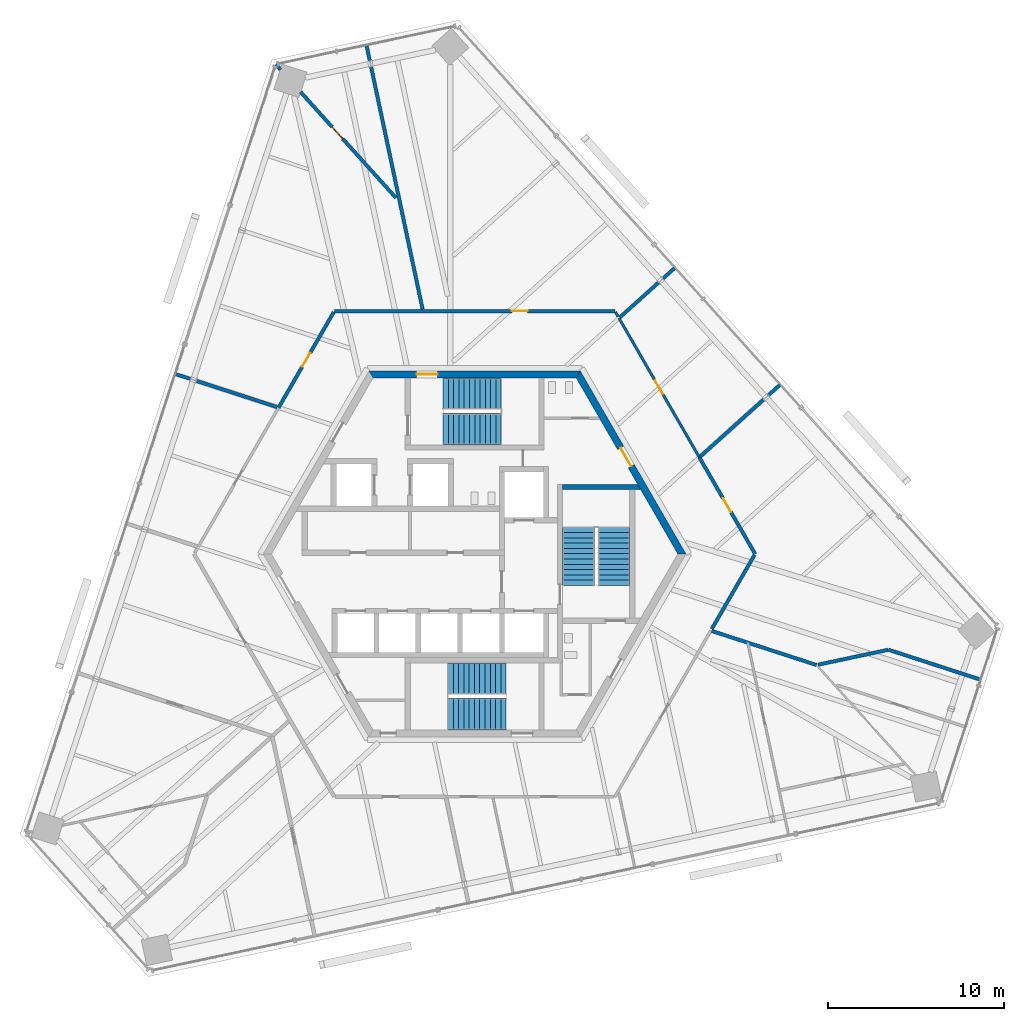
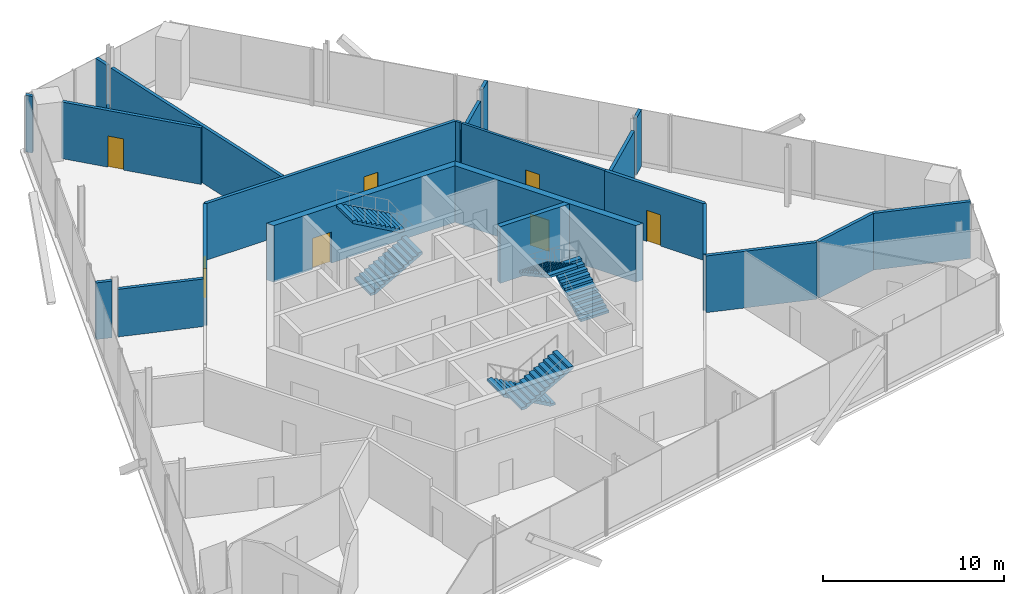
# One storey, part 12 of 14: 22 walls, 7 doors, 6 stair flights, 7 openings, 3 elements without a shape of their own.
"""IFC4 building model written with IfcOpenShell, lengths in metres."""

from ifc_helpers import new_model, si_unit, direction, frame, frame_2d, origin, place, context, subcontext, project, spatial, polyline, rectangle, outline, extrude, source, transform, mapped, material, layer, layer_set, type_object, element, fill, aggregate, save


model = new_model("IFC4")

# Units and contexts
model_context = context("Model", 3, precision=1e-05, world=origin(), true_north=direction((0.0, 1.0)))
body_context = subcontext(model_context, "Body", "Model", "MODEL_VIEW")
ifc_project = project(units=[si_unit("LENGTHUNIT", "METRE"), si_unit("AREAUNIT", "SQUARE_METRE"), si_unit("VOLUMEUNIT", "CUBIC_METRE"), si_unit("PLANEANGLEUNIT", "RADIAN"), si_unit("MASSUNIT", "GRAM", prefix="KILO")], contexts=[model_context])

# Site, building, storey
site_placement = place(None, origin())
site = spatial("IfcSite", under=ifc_project, at=site_placement, CompositionType="ELEMENT")
building_placement = place(site_placement, origin())
building = spatial("IfcBuilding", under=site, at=building_placement, Name="Triune Harvest Tower", CompositionType="ELEMENT")
storey_placement = place(building_placement, frame((0.0, 0.0, 284.699951171875)))
storey = spatial("IfcBuildingStorey", under=building, at=storey_placement, Name="L75", CompositionType="ELEMENT", Elevation=284.699951171875)

# Wall, opening, door
ifc_material_1 = material(Name="Gypsum board on steel studs", Category="steel")
ifc_layer_1 = layer(ifc_material_1, 0.14990234375)
ifc_layer_set_1 = layer_set([ifc_layer_1], Name="Gypsum board on steel studs")
wall_type_1 = type_object("IfcWallType", Name="Fire Partition 150 mm", PredefinedType="PARTITIONING", material=ifc_layer_set_1)
wall_1_placement = place(storey_placement, frame((8.198486328125, 13.384521484375, 0.0), z_axis=(0.0, 0.0, 1.0), x_axis=(0.499996628238, -0.866027350463, 0.0)))
wall_1 = element("IfcWall", 1, at=wall_1_placement, inside=storey, type_object=wall_type_1, Name="Partition L75 012", PredefinedType="PARTITIONING", context=body_context, shape_type="SweptSolid", body=[
    extrude(rectangle(XDim=9.12109375, YDim=0.14990234375, at=frame_2d((4.560546875, 0.0))), origin(), (0.0, 0.0, 1.0), 3.820068359375),
])
opening_1_placement = place(wall_1_placement, frame((4.07421875, 0.0, 0.0)))
opening_1 = element("IfcOpeningElement", 2, at=opening_1_placement, cuts=wall_1, Name="Opening L75-002", PredefinedType="OPENING", context=body_context, shape_type="SweptSolid", body=[
    extrude(rectangle(XDim=0.89990234375, YDim=2.10009765625, at=frame_2d((0.449951171875, 1.050048828125))), frame((0.0, 0.0849609375, 0.0), z_axis=(0.0, -1.0, 0.0), x_axis=(1.0, 0.0, 0.0)), (0.0, 0.0, 1.0), 0.169921875),
])
ifc_material_2 = material(Name="Timber and steel door set", Category="steel")
door_type_1 = type_object("IfcDoorType", Name="Single leaf door FD30 left hand 900 x 2100", OperationType="SINGLE_SWING_LEFT", PredefinedType="DOOR", material=ifc_material_2)
door_1_placement = place(opening_1_placement, origin())
door_1 = element("IfcDoor", 3, at=door_1_placement, inside=storey, type_object=door_type_1, Name="Door L75-002 Dry Store Room 75.02", OperationType="SINGLE_SWING_LEFT", OverallHeight=2.10009765625, OverallWidth=0.89990234375, PredefinedType="DOOR", context=body_context, shape_type="SweptSolid", body=[
    extrude(rectangle(XDim=0.89990234375, YDim=2.10009765625, at=frame_2d((0.449951171875, 1.050048828125))), frame((0.0, 0.02490234375, 0.0), z_axis=(0.0, -1.0, 0.0), x_axis=(1.0, 0.0, 0.0)), (0.0, 0.0, 1.0), 0.050048828125),
])
fill(opening_1, door_1)

# Wall
ifc_material_3 = material(Name="Gypsum board on steel studs", Category="steel")
ifc_layer_2 = layer(ifc_material_3, 0.199951171875)
ifc_layer_set_2 = layer_set([ifc_layer_2], Name="Gypsum board on steel studs")
wall_type_2 = type_object("IfcWallType", Name="Fire Wall 200 mm", PredefinedType="PARTITIONING", material=ifc_layer_set_2)
wall_2_placement = place(storey_placement, frame((-5.8798828125, 27.66357421875, 0.0), z_axis=(0.0, 0.0, 1.0), x_axis=(0.207901887177, -0.978149684511, 0.0)))
element("IfcWall", 4, at=wall_2_placement, inside=storey, type_object=wall_type_2, Name="Partition L75 007", PredefinedType="PARTITIONING", context=body_context, shape_type="SweptSolid", body=[
    extrude(rectangle(XDim=14.0810546875, YDim=0.199951171875, at=frame_2d((7.04052734375, 0.0))), origin(), (0.0, 0.0, 1.0), 3.820068359375),
])

# Wall, opening, door
wall_3_placement = place(storey_placement, frame((12.759033203125, 5.4853515625, 0.0), z_axis=(0.0, 0.0, 1.0), x_axis=(0.500002721793, -0.866023832351, 0.0)))
wall_3 = element("IfcWall", 5, at=wall_3_placement, inside=storey, type_object=wall_type_2, Name="Partition L75 013", PredefinedType="PARTITIONING", context=body_context, shape_type="SweptSolid", body=[
    extrude(rectangle(XDim=6.333984375, YDim=0.199951171875, at=frame_2d((3.1669921875, 0.0))), origin(), (0.0, 0.0, 1.0), 3.820068359375),
])
opening_2_placement = place(wall_3_placement, frame((2.683837890625, 0.0, 0.0)))
opening_2 = element("IfcOpeningElement", 6, at=opening_2_placement, cuts=wall_3, Name="Opening L75-001", PredefinedType="OPENING", context=body_context, shape_type="SweptSolid", body=[
    extrude(rectangle(XDim=0.89990234375, YDim=2.10009765625, at=frame_2d((0.449951171875, 1.050048828125))), frame((0.0, 0.10986328125, 0.0), z_axis=(0.0, -1.0, 0.0), x_axis=(1.0, 0.0, 0.0)), (0.0, 0.0, 1.0), 0.219970703125),
])
ifc_material_4 = material(Name="Timber and steel door set", Category="steel")
door_type_2 = type_object("IfcDoorType", Name="Single leaf door FD60 left hand 900 x 2100", OperationType="SINGLE_SWING_LEFT", PredefinedType="DOOR", material=ifc_material_4)
door_2_placement = place(opening_2_placement, origin())
door_2 = element("IfcDoor", 7, at=door_2_placement, inside=storey, type_object=door_type_2, Name="Door L75-001 Commercial Kitchen 75.01", OperationType="SINGLE_SWING_LEFT", OverallHeight=2.10009765625, OverallWidth=0.89990234375, PredefinedType="DOOR", context=body_context, shape_type="SweptSolid", body=[
    extrude(rectangle(XDim=0.89990234375, YDim=2.10009765625, at=frame_2d((0.449951171875, 1.050048828125))), frame((0.0, 0.02490234375, 0.0), z_axis=(0.0, -1.0, 0.0), x_axis=(1.0, 0.0, 0.0)), (0.0, 0.0, 1.0), 0.050048828125),
])
fill(opening_2, door_2)

wall_4_placement = place(storey_placement, frame((-9.88232421875, 26.230712890625, 0.0), z_axis=(0.0, 0.0, 1.0), x_axis=(0.669134662493, -0.743141173298, 0.0)))
wall_4 = element("IfcWall", 8, at=wall_4_placement, inside=storey, type_object=wall_type_2, Name="Partition L75 016", PredefinedType="PARTITIONING", context=body_context, shape_type="SweptSolid", body=[
    extrude(rectangle(XDim=8.095458984375, YDim=0.199951171875, at=frame_2d((4.0478515625, 0.0))), origin(), (0.0, 0.0, 1.0), 3.820068359375),
])
opening_3_placement = place(wall_4_placement, frame((2.675537109375, 0.0, 0.0)))
opening_3 = element("IfcOpeningElement", 9, at=opening_3_placement, cuts=wall_4, Name="Opening L75-004", PredefinedType="OPENING", context=body_context, shape_type="SweptSolid", body=[
    extrude(rectangle(XDim=0.89990234375, YDim=2.10009765625, at=frame_2d((0.449951171875, 1.050048828125))), frame((0.0, 0.10986328125, 0.0), z_axis=(0.0, -1.0, 0.0), x_axis=(1.0, 0.0, 0.0)), (0.0, 0.0, 1.0), 0.219970703125),
])
door_3_placement = place(opening_3_placement, origin())
door_3 = element("IfcDoor", 10, at=door_3_placement, inside=storey, type_object=door_type_2, Name="Door L75-004 Electrical Room 75.04", OperationType="SINGLE_SWING_LEFT", OverallHeight=2.10009765625, OverallWidth=0.89990234375, PredefinedType="DOOR", context=body_context, shape_type="SweptSolid", body=[
    extrude(rectangle(XDim=0.89990234375, YDim=2.10009765625, at=frame_2d((0.449951171875, 1.050048828125))), frame((0.0, 0.02490234375, 0.0), z_axis=(0.0, -1.0, 0.0), x_axis=(1.0, 0.0, 0.0)), (0.0, 0.0, 1.0), 0.050048828125),
])
fill(opening_3, door_3)

# Wall
wall_5_placement = place(storey_placement, frame((13.4580078125, -4.372802734375, 0.0), z_axis=(0.0, 0.0, 1.0), x_axis=(0.951052712201, -0.309028701929, 0.0)))
element("IfcWall", 11, at=wall_5_placement, inside=storey, type_object=wall_type_2, Name="Partition L75 024", PredefinedType="PARTITIONING", context=body_context, shape_type="SweptSolid", body=[
    extrude(rectangle(XDim=6.254638671875, YDim=0.199951171875, at=frame_2d((3.12744140625, 0.0))), origin(), (0.0, 0.0, 1.0), 3.820068359375),
])

# Wall, opening, door
wall_6_placement = place(storey_placement, frame((-7.962890625, 13.792236328125, 0.0), z_axis=(0.0, 0.0, 1.0), x_axis=(1.0, 0.0, 0.0)))
wall_6 = element("IfcWall", 12, at=wall_6_placement, inside=storey, type_object=wall_type_2, Name="Partition L75 030", PredefinedType="PARTITIONING", context=body_context, shape_type="SweptSolid", body=[
    extrude(rectangle(XDim=15.92578125, YDim=0.199951171875, at=frame_2d((7.962890625, 0.0))), origin(), (0.0, 0.0, 1.0), 3.820068359375),
])
opening_4_placement = place(wall_6_placement, frame((10.075927734375, 0.0, 0.0)))
opening_4 = element("IfcOpeningElement", 13, at=opening_4_placement, cuts=wall_6, Name="Opening L75-003", PredefinedType="OPENING", context=body_context, shape_type="SweptSolid", body=[
    extrude(rectangle(XDim=0.89990234375, YDim=2.10009765625, at=frame_2d((0.449951171875, 1.050048828125))), frame((0.0, 0.10986328125, 0.0), z_axis=(0.0, -1.0, 0.0), x_axis=(1.0, 0.0, 0.0)), (0.0, 0.0, 1.0), 0.219970703125),
])
ifc_material_5 = material(Name="Timber and steel door set", Category="steel")
door_type_3 = type_object("IfcDoorType", Name="Single leaf door FD60 right hand 900 x 2100", OperationType="SINGLE_SWING_RIGHT", PredefinedType="DOOR", material=ifc_material_5)
door_4_placement = place(opening_4_placement, origin())
door_4 = element("IfcDoor", 14, at=door_4_placement, inside=storey, type_object=door_type_3, Name="Door L75-003 Commercial Kitchen 75.03", OperationType="SINGLE_SWING_RIGHT", OverallHeight=2.10009765625, OverallWidth=0.89990234375, PredefinedType="DOOR", context=body_context, shape_type="SweptSolid", body=[
    extrude(rectangle(XDim=0.89990234375, YDim=2.10009765625, at=frame_2d((0.449951171875, 1.050048828125))), frame((0.0, 0.02490234375, 0.0), z_axis=(0.0, -1.0, 0.0), x_axis=(1.0, 0.0, 0.0)), (0.0, 0.0, 1.0), 0.050048828125),
])
fill(opening_4, door_4)

# Walls
wall_7_placement = place(storey_placement, frame((12.820068359375, 5.5361328125, 0.0), z_axis=(0.0, 0.0, 1.0), x_axis=(0.743143712679, 0.669131842244, 0.0)))
element("IfcWall", 15, at=wall_7_placement, inside=storey, type_object=wall_type_2, Name="Partition L75 035", PredefinedType="PARTITIONING", context=body_context, shape_type="SweptSolid", body=[
    extrude(rectangle(XDim=4.842529296875, YDim=0.199951171875, at=frame_2d((2.42138671875, 0.0))), origin(), (0.0, 0.0, 1.0), 3.207763671875),
])
wall_8_placement = place(storey_placement, frame((13.4638671875, -4.264892578125, 0.0), z_axis=(0.0, 0.0, 1.0), x_axis=(0.500022847687, 0.866012212264, 0.0)))
element("IfcWall", 16, at=wall_8_placement, inside=storey, type_object=wall_type_2, Name="Partition L75 042", PredefinedType="PARTITIONING", context=body_context, shape_type="SweptSolid", body=[
    extrude(rectangle(XDim=4.854248046875, YDim=0.199951171875, at=frame_2d((2.42724609375, 0.0))), origin(), (0.0, 0.0, 1.0), 3.820068359375),
])

# Wall, opening, door
wall_9_placement = place(storey_placement, frame((-11.1298828125, 8.306884765625, 0.0), z_axis=(0.0, 0.0, 1.0), x_axis=(0.500008097543, 0.866020728615, 0.0)))
wall_9 = element("IfcWall", 17, at=wall_9_placement, inside=storey, type_object=wall_type_2, Name="Partition L75 045", PredefinedType="PARTITIONING", context=body_context, shape_type="SweptSolid", body=[
    extrude(rectangle(XDim=6.26416015625, YDim=0.199951171875, at=frame_2d((3.132080078125, 0.0))), origin(), (0.0, 0.0, 1.0), 3.820068359375),
])
opening_5_placement = place(wall_9_placement, frame((2.683837890625, 0.0, 0.0)))
opening_5 = element("IfcOpeningElement", 18, at=opening_5_placement, cuts=wall_9, Name="Opening L75-005", PredefinedType="OPENING", context=body_context, shape_type="SweptSolid", body=[
    extrude(rectangle(XDim=0.89990234375, YDim=2.10009765625, at=frame_2d((0.449951171875, 1.050048828125))), frame((0.0, 0.10986328125, 0.0), z_axis=(0.0, -1.0, 0.0), x_axis=(1.0, 0.0, 0.0)), (0.0, 0.0, 1.0), 0.219970703125),
])
door_5_placement = place(opening_5_placement, origin())
door_5 = element("IfcDoor", 19, at=door_5_placement, inside=storey, type_object=door_type_2, Name="Door L75-005 Commercial Kitchen 75.05", OperationType="SINGLE_SWING_LEFT", OverallHeight=2.10009765625, OverallWidth=0.89990234375, PredefinedType="DOOR", context=body_context, shape_type="SweptSolid", body=[
    extrude(rectangle(XDim=0.89990234375, YDim=2.10009765625, at=frame_2d((0.449951171875, 1.050048828125))), frame((0.0, 0.02490234375, 0.0), z_axis=(0.0, -1.0, 0.0), x_axis=(1.0, 0.0, 0.0)), (0.0, 0.0, 1.0), 0.050048828125),
])
fill(opening_5, door_5)

ifc_material_6 = material(Name="Concrete 70 MPa", Category="concrete")
ifc_layer_3 = layer(ifc_material_6, 0.39990234375)
ifc_layer_set_3 = layer_set([ifc_layer_3], Name="Concrete 70 MPa")
wall_type_3 = type_object("IfcWallType", Name="Core wall 400", PredefinedType="SHEAR", material=ifc_layer_set_3)
shared_shape_1 = source(origin(), body_context, "Body", "SweptSolid", [
    extrude(outline(polyline([(-0.115478515625, -0.199951171875), (11.884521484375, -0.199951171875), (11.653564453125, 0.199951171875), (0.115478515625, 0.199951171875), (-0.115478515625, -0.199951171875)])), origin(), (0.0, 0.0, 1.0), 3.820068359375),
])
wall_10_placement = place(storey_placement, frame((11.76904296875, 0.0, 0.0), z_axis=(0.0, 0.0, 1.0), x_axis=(-0.499996592174, 0.866027371285, 0.0)))
wall_10 = element("IfcWall", 20, at=wall_10_placement, inside=storey, type_object=wall_type_3, Name="Hexagon 0 wall", PredefinedType="SHEAR", context=body_context, shape_type="MappedRepresentation", body=[
    mapped(shared_shape_1, transform((0.0, 0.0, 0.0), scale=1.0)),
])
opening_6_placement = place(wall_10_placement, frame((5.75048828125, 0.0, 0.0)))
opening_6 = element("IfcOpeningElement", 21, at=opening_6_placement, cuts=wall_10, Name="Opening CD-WCP", PredefinedType="OPENING", context=body_context, shape_type="SweptSolid", body=[
    extrude(rectangle(XDim=1.199951171875, YDim=2.10009765625, at=frame_2d((0.60009765625, 1.050048828125))), frame((0.0, 0.2099609375, 0.0), z_axis=(0.0, -1.0, 0.0), x_axis=(1.0, 0.0, 0.0)), (0.0, 0.0, 1.0), 0.419921875),
])
ifc_material_7 = material(Name="Steel S235", Category="steel")
door_type_4 = type_object("IfcDoorType", Name="Lobby door 1200 FD120", OperationType="SINGLE_SWING_LEFT", PredefinedType="DOOR", material=ifc_material_7)
door_6_placement = place(opening_6_placement, frame((1.199951171875, 0.0, 0.0), z_axis=(0.0, 0.0, 1.0), x_axis=(-1.0, 0.0, 0.0)))
door_6 = element("IfcDoor", 22, at=door_6_placement, inside=storey, type_object=door_type_4, Name="Door CD-WCP", OperationType="SINGLE_SWING_RIGHT", OverallHeight=2.10009765625, OverallWidth=1.199951171875, PredefinedType="DOOR", context=body_context, shape_type="SweptSolid", body=[
    extrude(rectangle(XDim=1.199951171875, YDim=2.10009765625, at=frame_2d((0.60009765625, 1.050048828125))), frame((0.0, 0.02490234375, 0.0), z_axis=(0.0, -1.0, 0.0), x_axis=(1.0, 0.0, 0.0)), (0.0, 0.0, 1.0), 0.050048828125),
])
fill(opening_6, door_6)

wall_11_placement = place(storey_placement, frame((5.884521484375, 10.1923828125, 0.0), z_axis=(0.0, 0.0, 1.0), x_axis=(-1.0, 0.0, 0.0)))
wall_11 = element("IfcWall", 23, at=wall_11_placement, inside=storey, type_object=wall_type_3, Name="Hexagon 1 wall", PredefinedType="SHEAR", context=body_context, shape_type="MappedRepresentation", body=[
    mapped(shared_shape_1, transform((0.0, 0.0, 0.0), scale=1.0)),
])
opening_7_placement = place(wall_11_placement, frame((7.984619140625, 0.0, 0.0)))
opening_7 = element("IfcOpeningElement", 24, at=opening_7_placement, cuts=wall_11, Name="Opening CD-S1P", PredefinedType="OPENING", context=body_context, shape_type="SweptSolid", body=[
    extrude(rectangle(XDim=1.199951171875, YDim=2.10009765625, at=frame_2d((0.60009765625, 1.050048828125))), frame((0.0, 0.2099609375, 0.0), z_axis=(0.0, -1.0, 0.0), x_axis=(1.0, 0.0, 0.0)), (0.0, 0.0, 1.0), 0.419921875),
])
ifc_material_8 = material(Name="Steel S235", Category="steel")
door_type_5 = type_object("IfcDoorType", Name="Stair door 1200 FD120", OperationType="SINGLE_SWING_LEFT", PredefinedType="DOOR", material=ifc_material_8)
door_7_placement = place(opening_7_placement, frame((1.199951171875, 0.0, 0.0), z_axis=(0.0, 0.0, 1.0), x_axis=(-1.0, 0.0, 0.0)))
door_7 = element("IfcDoor", 25, at=door_7_placement, inside=storey, type_object=door_type_5, Name="Door CD-S1P", OperationType="SINGLE_SWING_RIGHT", OverallHeight=2.10009765625, OverallWidth=1.199951171875, PredefinedType="DOOR", context=body_context, shape_type="SweptSolid", body=[
    extrude(rectangle(XDim=1.199951171875, YDim=2.10009765625, at=frame_2d((0.60009765625, 1.050048828125))), frame((0.0, 0.02490234375, 0.0), z_axis=(0.0, -1.0, 0.0), x_axis=(1.0, 0.0, 0.0)), (0.0, 0.0, 1.0), 0.050048828125),
])
fill(opening_7, door_7)

# Walls
ifc_material_9 = material(Name="Concrete 70 MPa", Category="concrete")
ifc_layer_4 = layer(ifc_material_9, 0.300048828125)
ifc_layer_set_4 = layer_set([ifc_layer_4], Name="Concrete 70 MPa")
wall_type_4 = type_object("IfcWallType", Name="Core wall 300", PredefinedType="SHEAR", material=ifc_layer_set_4)
shared_shape_2 = source(origin(), body_context, "Body", "SweptSolid", [
    extrude(outline(polyline([(0.0, -0.14990234375), (0.0, 0.14990234375), (4.260009765625, 0.14990234375), (4.43310546875, -0.14990234375), (0.0, -0.14990234375)])), origin(), (0.0, 0.0, 1.0), 3.820068359375),
])
wall_12_placement = place(storey_placement, frame((5.0, 3.800048828125, 0.0), z_axis=(0.0, 0.0, 1.0), x_axis=(1.0, 0.0, 0.0)))
element("IfcWall", 26, at=wall_12_placement, inside=storey, type_object=wall_type_4, Name="Stair e north wall", PredefinedType="SHEAR", context=body_context, shape_type="MappedRepresentation", body=[
    mapped(shared_shape_2, transform((0.0, 0.0, 0.0), scale=1.0)),
])
shared_shape_3 = source(origin(), body_context, "Body", "SweptSolid", [
    extrude(rectangle(XDim=0.915283203125, YDim=0.199951171875, at=frame_2d((0.45751953125, 0.0))), origin(), (0.0, 0.0, 1.0), 3.820068359375),
])
for number, where, z_axis, x_axis, name in (
    (27, (-17.00439453125, 10.21875, 0.0), (0.0, 0.0, 1.0), (0.951108522522, -0.308856889815, 0.0), "Partition L75 026"),
    (28, (16.671875, 9.00439453125, 0.0), (0.0, 0.0, 1.0), (0.743214552861, 0.669053158139, 0.0), "Partition L75 036"),
    (29, (10.69775390625, 15.63916015625, 0.0), (0.0, 0.0, 1.0), (0.743081911728, 0.669200472551, 0.0), "Partition L75 040"),
):
    element("IfcWall", number, at=place(storey_placement, frame(where, z_axis=z_axis, x_axis=x_axis)), inside=storey, type_object=wall_type_2, Name=name, PredefinedType="PARTITIONING", context=body_context, shape_type="MappedRepresentation", body=[
        mapped(shared_shape_3, transform((0.0, 0.0, 0.0), scale=1.0)),
    ])
shared_shape_4 = source(origin(), body_context, "Body", "SweptSolid", [
    extrude(rectangle(XDim=4.84228515625, YDim=0.199951171875, at=frame_2d((2.421142578125, 0.0))), origin(), (0.0, 0.0, 1.0), 3.207763671875),
])
wall_13_placement = place(storey_placement, frame((-15.809814453125, 9.830810546875, 0.0), z_axis=(0.0, 0.0, 1.0), x_axis=(0.951041108241, -0.309064411468, 0.0)))
element("IfcWall", 30, at=wall_13_placement, inside=storey, type_object=wall_type_2, Name="Partition L75 027", PredefinedType="PARTITIONING", context=body_context, shape_type="MappedRepresentation", body=[
    mapped(shared_shape_4, transform((0.0, 0.0, 0.0), scale=1.0)),
])
shared_shape_5 = source(origin(), body_context, "Body", "SweptSolid", [
    extrude(rectangle(XDim=0.91552734375, YDim=0.199951171875, at=frame_2d((0.457763671875, 0.0))), origin(), (0.0, 0.0, 1.0), 3.820068359375),
])
wall_14_placement = place(storey_placement, frame((-6.14111328125, 28.89208984375, 0.0), z_axis=(0.0, 0.0, 1.0), x_axis=(0.207743933161, -0.978183243689, 0.0)))
element("IfcWall", 31, at=wall_14_placement, inside=storey, type_object=wall_type_2, Name="Partition L75 006", PredefinedType="PARTITIONING", context=body_context, shape_type="MappedRepresentation", body=[
    mapped(shared_shape_5, transform((0.0, 0.0, 0.0), scale=1.0)),
])
shared_shape_6 = source(origin(), body_context, "Body", "SweptSolid", [
    extrude(rectangle(XDim=0.30078125, YDim=0.14990234375, at=frame_2d((0.150390625, 0.0))), origin(), (0.0, 0.0, 1.0), 3.820068359375),
])
wall_15_placement = place(storey_placement, frame((7.998046875, 13.7314453125, 0.0), z_axis=(0.0, 0.0, 1.0), x_axis=(0.499980071345, -0.866036909293, 0.0)))
element("IfcWall", 32, at=wall_15_placement, inside=storey, type_object=wall_type_1, Name="Partition L75 011", PredefinedType="PARTITIONING", context=body_context, shape_type="MappedRepresentation", body=[
    mapped(shared_shape_6, transform((0.0, 0.0, 0.0), scale=1.0)),
])
shared_shape_7 = source(origin(), body_context, "Body", "SweptSolid", [
    extrude(rectangle(XDim=0.39892578125, YDim=0.199951171875, at=frame_2d((0.199462890625, 0.0))), origin(), (0.0, 0.0, 1.0), 3.820068359375),
])
wall_16_placement = place(storey_placement, frame((-11.292724609375, 27.797119140625, 0.0), z_axis=(0.0, 0.0, 1.0), x_axis=(0.66879568396, -0.743446254356, 0.0)))
element("IfcWall", 33, at=wall_16_placement, inside=storey, type_object=wall_type_2, Name="Partition L75 015", PredefinedType="PARTITIONING", context=body_context, shape_type="MappedRepresentation", body=[
    mapped(shared_shape_7, transform((0.0, 0.0, 0.0), scale=1.0)),
])
shared_shape_8 = source(origin(), body_context, "Body", "SweptSolid", [
    extrude(rectangle(XDim=2.974609375, YDim=0.199951171875, at=frame_2d((1.4873046875, 0.0))), origin(), (0.0, 0.0, 1.0), 3.283935546875),
])
wall_17_placement = place(storey_placement, frame((8.23388671875, 13.4208984375, 0.0), z_axis=(0.0, 0.0, 1.0), x_axis=(0.743192110259, 0.669078087557, 0.0)))
element("IfcWall", 34, at=wall_17_placement, inside=storey, type_object=wall_type_2, Name="Partition L75 039", PredefinedType="PARTITIONING", context=body_context, shape_type="MappedRepresentation", body=[
    mapped(shared_shape_8, transform((0.0, 0.0, 0.0), scale=1.0)),
])
shared_shape_9 = source(origin(), body_context, "Body", "SweptSolid", [
    extrude(rectangle(XDim=5.505859375, YDim=0.199951171875, at=frame_2d((2.7529296875, 0.0))), origin(), (0.0, 0.0, 1.0), 3.820068359375),
])
wall_18_placement = place(storey_placement, frame((23.500732421875, -5.4404296875, 0.0), z_axis=(0.0, 0.0, 1.0), x_axis=(0.951054921763, -0.309021901798, 0.0)))
element("IfcWall", 35, at=wall_18_placement, inside=storey, type_object=wall_type_2, Name="Partition L75 025", PredefinedType="PARTITIONING", context=body_context, shape_type="MappedRepresentation", body=[
    mapped(shared_shape_9, transform((0.0, 0.0, 0.0), scale=1.0)),
])
shared_shape_10 = source(origin(), body_context, "Body", "SweptSolid", [
    extrude(rectangle(XDim=4.055908203125, YDim=0.199951171875, at=frame_2d((2.02783203125, 0.0))), origin(), (0.0, 0.0, 1.0), 3.820068359375),
])
wall_19_placement = place(storey_placement, frame((19.504150390625, -6.289794921875, 0.0), z_axis=(0.0, 0.0, 1.0), x_axis=(0.978135898015, 0.207966740163, 0.0)))
element("IfcWall", 36, at=wall_19_placement, inside=storey, type_object=wall_type_2, Name="Partition L75 034", PredefinedType="PARTITIONING", context=body_context, shape_type="MappedRepresentation", body=[
    mapped(shared_shape_10, transform((0.0, 0.0, 0.0), scale=1.0)),
])

# Stair, stair flights
ifc_material_10 = material(Name="Concrete 40 MPa", Category="concrete")
stair_type = type_object("IfcStairType", Name="Exit stair 1800 half turn", PredefinedType="HALF_TURN_STAIR", material=ifc_material_10)
stair_1_placement = place(storey_placement, origin())
stair_1 = element("IfcStair", 37, at=stair_1_placement, inside=storey, type_object=stair_type, Name="Exit stair north", PredefinedType="HALF_TURN_STAIR")
ifc_material_11 = material(Name="Concrete 40 MPa", Category="concrete")
stair_flight_type = type_object("IfcStairFlightType", Name="Stair flight 1800", PredefinedType="STRAIGHT", material=ifc_material_11)
shared_shape_11 = source(origin(), body_context, "Body", "SweptSolid", [
    extrude(outline(polyline([(0.0, 0.0), (0.0, 0.166748046875), (0.300048828125, 0.166748046875), (0.300048828125, 0.333251953125), (0.60009765625, 0.333251953125), (0.60009765625, 0.5), (0.89990234375, 0.5), (0.89990234375, 0.666748046875), (1.199951171875, 0.666748046875), (1.199951171875, 0.833251953125), (1.5, 0.833251953125), (1.5, 1.0), (1.800048828125, 1.0), (1.800048828125, 1.166748046875), (2.10009765625, 1.166748046875), (2.10009765625, 1.333251953125), (2.39990234375, 1.333251953125), (2.39990234375, 1.5), (2.699951171875, 1.5), (2.699951171875, 1.666748046875), (3.0, 1.666748046875), (3.0, 1.833251953125), (3.300048828125, 1.833251953125), (3.300048828125, 2.0), (3.300048828125, 1.661865234375), (0.30859375, 0.0), (0.0, 0.0)])), frame((0.0, 0.89990234375, 0.0), z_axis=(0.0, -1.0, 0.0), x_axis=(1.0, 0.0, 0.0)), (0.0, 0.0, 1.0), 1.800048828125),
])
stair_flight_1_placement = place(storey_placement, frame((-1.7900390625, 7.090087890625, 0.0), z_axis=(0.0, 0.0, 1.0), x_axis=(1.0, 0.0, 0.0)))
stair_flight_1 = element("IfcStairFlight", 38, at=stair_flight_1_placement, type_object=stair_flight_type, Name="ST-1 flight 1", NumberOfRisers=12, NumberOfTreads=11, PredefinedType="STRAIGHT", RiserHeight=0.16667, TreadLength=0.3, context=body_context, shape_type="MappedRepresentation", body=[
    mapped(shared_shape_11, transform((0.0, 0.0, 0.0), scale=1.0)),
])
stair_flight_2_placement = place(storey_placement, frame((1.510009765625, 9.090087890625, 2.0), z_axis=(0.0, 0.0, 1.0), x_axis=(-1.0, 0.0, 0.0)))
stair_flight_2 = element("IfcStairFlight", 39, at=stair_flight_2_placement, type_object=stair_flight_type, Name="ST-1 flight 2", NumberOfRisers=12, NumberOfTreads=11, PredefinedType="STRAIGHT", RiserHeight=0.16667, TreadLength=0.3, context=body_context, shape_type="MappedRepresentation", body=[
    mapped(shared_shape_11, transform((0.0, 0.0, 0.0), scale=1.0)),
])
aggregate(stair_1, [stair_flight_1, stair_flight_2])

stair_2_placement = place(storey_placement, origin())
stair_2 = element("IfcStair", 40, at=stair_2_placement, inside=storey, type_object=stair_type, Name="Exit stair south", PredefinedType="HALF_TURN_STAIR")
stair_flight_3_placement = place(storey_placement, frame((1.7900390625, -7.090087890625, 0.0), z_axis=(0.0, 0.0, 1.0), x_axis=(-1.0, 0.0, 0.0)))
stair_flight_3 = element("IfcStairFlight", 41, at=stair_flight_3_placement, type_object=stair_flight_type, Name="ST-2 flight 1", NumberOfRisers=12, NumberOfTreads=11, PredefinedType="STRAIGHT", RiserHeight=0.16667, TreadLength=0.3, context=body_context, shape_type="MappedRepresentation", body=[
    mapped(shared_shape_11, transform((0.0, 0.0, 0.0), scale=1.0)),
])
stair_flight_4_placement = place(storey_placement, frame((-1.510009765625, -9.090087890625, 2.0), z_axis=(0.0, 0.0, 1.0), x_axis=(1.0, 0.0, 0.0)))
stair_flight_4 = element("IfcStairFlight", 42, at=stair_flight_4_placement, type_object=stair_flight_type, Name="ST-2 flight 2", NumberOfRisers=12, NumberOfTreads=11, PredefinedType="STRAIGHT", RiserHeight=0.16667, TreadLength=0.3, context=body_context, shape_type="MappedRepresentation", body=[
    mapped(shared_shape_11, transform((0.0, 0.0, 0.0), scale=1.0)),
])
aggregate(stair_2, [stair_flight_3, stair_flight_4])

stair_3_placement = place(storey_placement, origin())
stair_3 = element("IfcStair", 43, at=stair_3_placement, inside=storey, type_object=stair_type, Name="Exit stair east", PredefinedType="HALF_TURN_STAIR")
stair_flight_5_placement = place(storey_placement, frame((7.89990234375, -1.7900390625, 0.0), z_axis=(0.0, 0.0, 1.0), x_axis=(0.0, 1.0, 0.0)))
stair_flight_5 = element("IfcStairFlight", 44, at=stair_flight_5_placement, type_object=stair_flight_type, Name="ST-3 flight 1", NumberOfRisers=12, NumberOfTreads=11, PredefinedType="STRAIGHT", RiserHeight=0.16667, TreadLength=0.3, context=body_context, shape_type="MappedRepresentation", body=[
    mapped(shared_shape_11, transform((0.0, 0.0, 0.0), scale=1.0)),
])
stair_flight_6_placement = place(storey_placement, frame((5.89990234375, 1.510009765625, 2.0), z_axis=(0.0, 0.0, 1.0), x_axis=(0.0, -1.0, 0.0)))
stair_flight_6 = element("IfcStairFlight", 45, at=stair_flight_6_placement, type_object=stair_flight_type, Name="ST-3 flight 2", NumberOfRisers=12, NumberOfTreads=11, PredefinedType="STRAIGHT", RiserHeight=0.16667, TreadLength=0.3, context=body_context, shape_type="MappedRepresentation", body=[
    mapped(shared_shape_11, transform((0.0, 0.0, 0.0), scale=1.0)),
])
aggregate(stair_3, [stair_flight_5, stair_flight_6])

save(model, "model.ifc")
